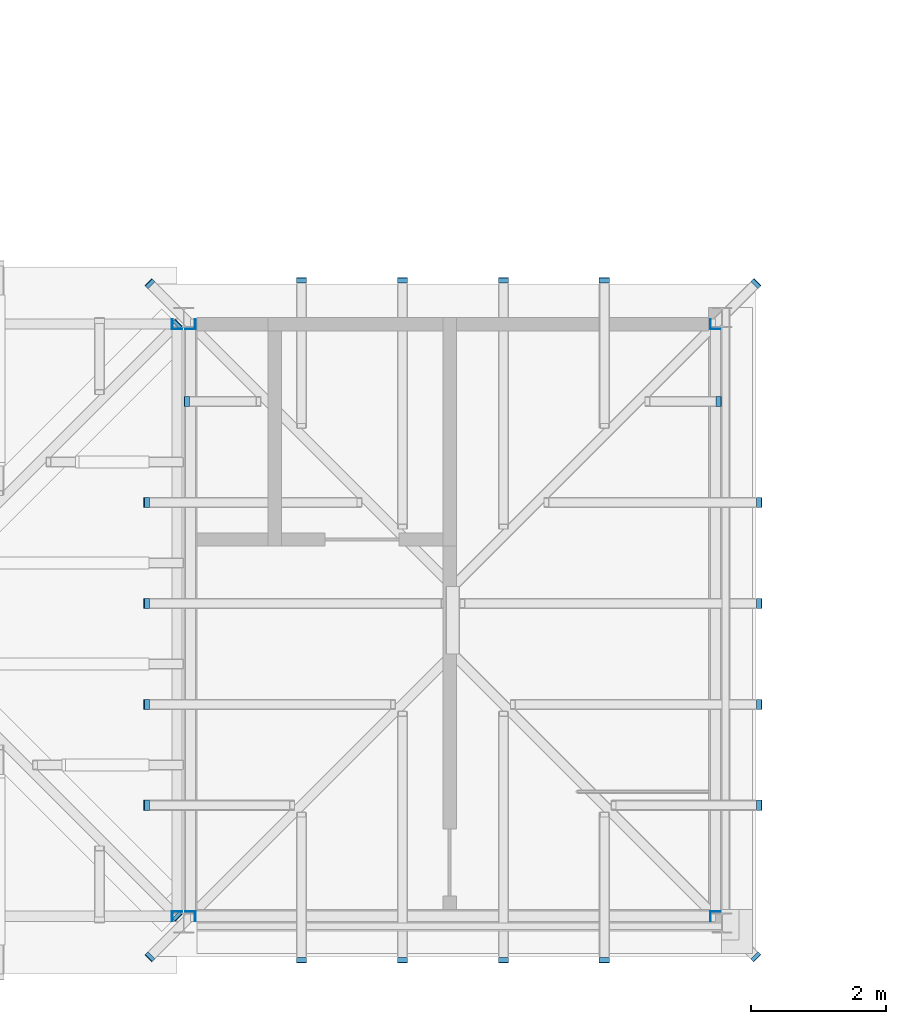
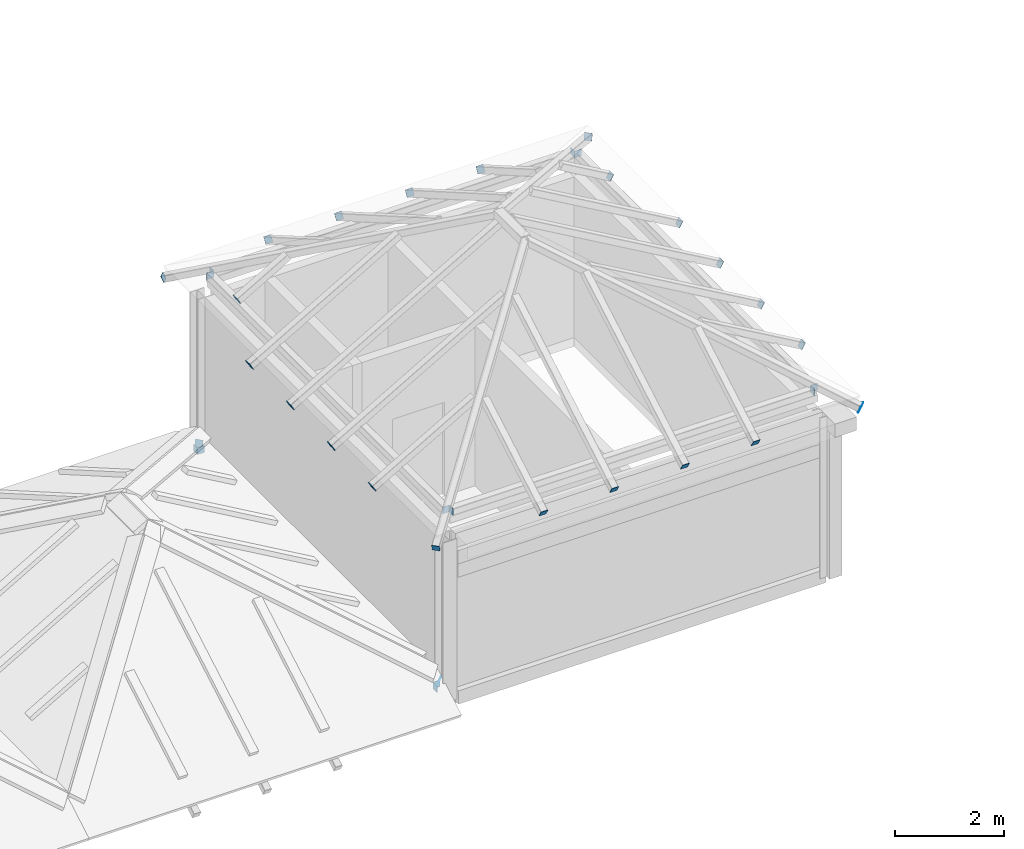
# One storey, part 80 of 111: 36 discrete accessories.
"""IFC4 building model written with IfcOpenShell, lengths in metres."""

import ifcopenshell
import ifcopenshell.guid

model = None  # the IFC model being written
_history = None  # IfcOwnerHistory: only IFC2X3 demands one
_inside = {}  # id of a spatial element -> (the spatial element, [elements in it])
_under = {}  # id of a project, library or spatial element -> (it, [spatial elements below it])
_declared = {}  # id of a project -> (the project, [libraries it declares])
_typed = {}  # id of a type object -> (the type object, [elements of that type])
_made_of = {}  # id of a material, layer set ... -> (it, [elements and type objects made of it])


def new_model(schema):
    """Start an empty IFC model of exactly this schema.

    Asked for "IFC4X3", IfcOpenShell would pick the latest addendum, in which some entities
    have other attributes; the version numbers below select the first issue.
    IFC2X3 requires an IfcOwnerHistory on every rooted entity: one is made here for all.
    """
    global model, _history
    if schema == "IFC4X3":
        model = ifcopenshell.file(schema_version=(4, 3, 0, 0))
    else:
        model = ifcopenshell.file(schema=schema)
    _inside.clear()
    _under.clear()
    _declared.clear()
    _typed.clear()
    _made_of.clear()
    _history = None
    if model.schema == "IFC2X3":
        org = make("IfcOrganization", Name="unknown")
        user = make(
            "IfcPersonAndOrganization",
            ThePerson=make("IfcPerson", FamilyName="unknown"),
            TheOrganization=org,
        )
        app = make(
            "IfcApplication",
            ApplicationDeveloper=org,
            Version="unknown",
            ApplicationFullName="unknown",
            ApplicationIdentifier="unknown",
        )
        _history = make(
            "IfcOwnerHistory",
            OwningUser=user,
            OwningApplication=app,
            ChangeAction="ADDED",
            CreationDate=0,
        )
    return model


def make(cls, **values):
    """One entity of the class cls with the attributes given. An attribute that is None is left unset."""
    return model.create_entity(
        cls, **{name: value for name, value in values.items() if value is not None}
    )


def rooted(cls, **values):
    """An entity with a GlobalId (a new one), such as an element, a storey or a relation."""
    return make(cls, GlobalId=ifcopenshell.guid.new(), OwnerHistory=_history, **values)


def si_unit(unit_type, name, prefix=None):
    """IfcSIUnit, for example si_unit("LENGTHUNIT", "METRE", prefix="MILLI")."""
    return make("IfcSIUnit", UnitType=unit_type, Prefix=prefix, Name=name)


def assignment(units):
    """IfcUnitAssignment: the units of a project."""
    return None if units is None else make("IfcUnitAssignment", Units=units)


def point(xyz):
    """IfcCartesianPoint."""
    return None if xyz is None else make("IfcCartesianPoint", Coordinates=xyz)


def direction(xyz):
    """IfcDirection."""
    return None if xyz is None else make("IfcDirection", DirectionRatios=xyz)


def frame(location, z_axis=None, x_axis=None):
    """IfcAxis2Placement3D, a coordinate frame: its origin and axes. An axis left out is left unset."""
    return make(
        "IfcAxis2Placement3D",
        Location=point(location),
        Axis=direction(z_axis),
        RefDirection=direction(x_axis),
    )


def frame_2d(location, x_axis=None):
    """IfcAxis2Placement2D, a coordinate frame in the plane: its origin and x axis."""
    return make(
        "IfcAxis2Placement2D", Location=point(location), RefDirection=direction(x_axis)
    )


def origin():
    """The frame at (0, 0, 0) with its axes left unset."""
    return frame((0.0, 0.0, 0.0))


def origin_2d():
    """The frame at (0, 0) in the plane with its x axis left unset."""
    return frame_2d((0.0, 0.0))


def place(relative_to, where):
    """IfcLocalPlacement: puts the frame where relative to a parent placement (None: the world)."""
    return make(
        "IfcLocalPlacement", PlacementRelTo=relative_to, RelativePlacement=where
    )


def context(
    kind, dimensions, precision=None, world=None, true_north=None, identifier=None
):
    """IfcGeometricRepresentationContext, for example the 3D "Model" context."""
    return make(
        "IfcGeometricRepresentationContext",
        ContextIdentifier=identifier,
        ContextType=kind,
        CoordinateSpaceDimension=dimensions,
        Precision=precision,
        WorldCoordinateSystem=world,
        TrueNorth=true_north,
    )


def subcontext(parent, identifier, kind, view, scale=None):
    """IfcGeometricRepresentationSubContext, for example "Body" below "Model"."""
    return make(
        "IfcGeometricRepresentationSubContext",
        ContextIdentifier=identifier,
        ContextType=kind,
        ParentContext=parent,
        TargetScale=scale,
        TargetView=view,
    )


def project(units=None, contexts=None):
    """IfcProject with its units and contexts."""
    return rooted(
        "IfcProject",
        Name="project",
        RepresentationContexts=contexts,
        UnitsInContext=assignment(units),
    )


def spatial(cls, under=None, at=None, **own):
    """A site, building, storey or space (cls), placed at a placement, below another one or the project."""
    s = rooted(cls, ObjectPlacement=at, **own)
    if under is not None:
        _under.setdefault(under.id(), (under, []))[1].append(s)
    return s


def profile(cls, at=None, kind="AREA", **sizes):
    """A parametric profile (cls). Its sizes go by their IFC names, for example OverallWidth=200.0."""
    return make(cls, ProfileType=kind, Position=at, **sizes)


def rectangle(**sizes):
    """IfcRectangleProfileDef."""
    return profile("IfcRectangleProfileDef", **sizes)


def extrude(swept, where, along, depth):
    """IfcExtrudedAreaSolid: the profile swept, set in the frame where, extruded along a direction by depth."""
    return make(
        "IfcExtrudedAreaSolid",
        SweptArea=swept,
        Position=where,
        ExtrudedDirection=direction(along),
        Depth=depth,
    )


def shape(context_of_items, identifier, shape_type, items):
    """IfcShapeRepresentation: the items that make up one representation, for example the "Body"."""
    return make(
        "IfcShapeRepresentation",
        ContextOfItems=context_of_items,
        RepresentationIdentifier=identifier,
        RepresentationType=shape_type,
        Items=items,
    )


def material(Name=None, Category=None):
    """IfcMaterial."""
    return make("IfcMaterial", Name=Name, Category=Category)


def material_profile(
    of_material, cross_section, Name=None, Category=None, Priority=None
):
    """IfcMaterialProfile: a cross section and its material."""
    return make(
        "IfcMaterialProfile",
        Name=Name,
        Material=of_material,
        Profile=cross_section,
        Priority=Priority,
        Category=Category,
    )


def profile_set(profiles, Name=None, composite=None):
    """IfcMaterialProfileSet."""
    return make(
        "IfcMaterialProfileSet",
        Name=Name,
        MaterialProfiles=profiles,
        CompositeProfile=composite,
    )


def made_of(thing, what):
    """Note that an element or type object is made of a material, layer set ...; save() writes the relation."""
    if what is not None:
        _made_of.setdefault(what.id(), (what, []))[1].append(thing)
    return thing


def type_object(cls, material=None, **own):
    """A type object (cls), such as IfcWallType, which elements share."""
    return made_of(rooted(cls, **own), material)


def element(
    cls,
    number,
    at=None,
    inside=None,
    cuts=None,
    type_object=None,
    material=None,
    context=None,
    identifier="Body",
    shape_type=None,
    held_by="IfcProductDefinitionShape",
    body=None,
    shapes=None,
    **own,
):
    """One element of the class cls, such as IfcWall. Its Tag is "e" and its number.

    at: its placement. inside: the storey or other place that contains it. cuts: it is an
    opening in that element (IfcRelVoidsElement). A single representation is given by context,
    identifier, shape_type and body (its items); several are given by shapes. held_by: the class
    of the entity that holds the representations. save() writes the other relations.
    """
    e = rooted(cls, Tag="e%d" % number, ObjectPlacement=at, **own)
    if body is not None:
        shapes = [shape(context, identifier, shape_type, body)]
    if shapes is not None:
        e.Representation = make(held_by, Representations=shapes)
    if inside is not None:
        _inside.setdefault(inside.id(), (inside, []))[1].append(e)
    if cuts is not None:
        rooted(
            "IfcRelVoidsElement", RelatingBuildingElement=cuts, RelatedOpeningElement=e
        )
    if type_object is not None:
        _typed.setdefault(type_object.id(), (type_object, []))[1].append(e)
    return made_of(e, material)


def aggregate(whole, parts):
    """IfcRelAggregates: a whole, such as a stair, and the parts it consists of."""
    return rooted("IfcRelAggregates", RelatingObject=whole, RelatedObjects=parts)


def save(model, path):
    """Write the relations noted so far, then the file.

    IfcRelAggregates (storeys below a building ...), IfcRelContainedInSpatialStructure (elements
    in a storey), IfcRelDefinesByType, IfcRelAssociatesMaterial and IfcRelDeclares: one each for
    every whole, place, type object, material and project.
    """
    for whole, parts in _under.values():
        aggregate(whole, parts)
    for where, things in _inside.values():
        rooted(
            "IfcRelContainedInSpatialStructure",
            RelatedElements=things,
            RelatingStructure=where,
        )
    for kind, things in _typed.values():
        rooted("IfcRelDefinesByType", RelatedObjects=things, RelatingType=kind)
    for what, things in _made_of.values():
        rooted("IfcRelAssociatesMaterial", RelatedObjects=things, RelatingMaterial=what)
    for by, libraries in _declared.values():
        rooted("IfcRelDeclares", RelatingContext=by, RelatedDefinitions=libraries)
    model.write(path)


model = new_model("IFC4")

# Units and contexts
model_context = context("Model", 3, precision=1e-05, world=origin(), true_north=direction((0.0, 1.0)))
body_context = subcontext(model_context, "Body", "Model", "MODEL_VIEW")
ifc_project = project(units=[si_unit("LENGTHUNIT", "METRE"), si_unit("AREAUNIT", "SQUARE_METRE"), si_unit("VOLUMEUNIT", "CUBIC_METRE"), si_unit("PLANEANGLEUNIT", "RADIAN"), si_unit("MASSUNIT", "GRAM", prefix="KILO")], contexts=[model_context])

# Site, building, storey
site_placement = place(None, origin())
site = spatial("IfcSite", under=ifc_project, at=site_placement, CompositionType="ELEMENT")
building_placement = place(site_placement, origin())
building = spatial("IfcBuilding", under=site, at=building_placement, Name="Kallimachos Central Library", CompositionType="ELEMENT")
storey_placement = place(building_placement, frame((0.0, 0.0, 14.39990234375)))
storey = spatial("IfcBuildingStorey", under=building, at=storey_placement, Name="L03", CompositionType="ELEMENT", Elevation=14.39990234375)

# Discrete accessories
ifc_material = material(Name="Steel S355J2", Category="steel")
ifc_material_profile = material_profile(ifc_material, rectangle(XDim=0.14990234375, YDim=0.14990234375, at=origin_2d()), Name="End cap plate 10, 150x150")
ifc_profile_set = profile_set([ifc_material_profile], Name="Steel S355J2")
discrete_accessory_type = type_object("IfcDiscreteAccessoryType", Name="End cap plate 10, 150x150", PredefinedType="BRACKET", material=ifc_profile_set)
for number, where, z_axis, x_axis, name in (
    (1, (21.824951171875, 9.10009765625, 0.22509765625), (1.0, 0.0, 0.0), (0.0, 1.0, 0.0), "End cap plate"),
    (2, (21.824951171875, 17.89990234375, 0.22509765625), (1.0, 0.0, 0.0), (0.0, 1.0, 0.0), "End cap plate"),
    (3, (21.89990234375, 9.1650390625, 0.22509765625), (0.0, 1.0, 0.0), (-1.0, 0.0, 0.0), "End cap plate"),
    (4, (21.89990234375, 17.824951171875, 0.22509765625), (0.0, 1.0, 0.0), (-1.0, 0.0, 0.0), "End cap plate"),
    (5, (21.906494140625, 9.093505859375, 0.323486328125), (-0.658145181714, 0.658145181714, 0.365636212064), (-0.707106781187, -0.707106781187, 0.0), "End cap plate"),
    (6, (21.906494140625, 17.906494140625, 0.323486328125), (-0.658145181714, -0.658145181714, 0.365636212064), (0.707106781187, -0.707106781187, 0.0), "End cap plate"),
    (7, (22.1650390625, 9.10009765625, 4.0751953125), (1.0, 0.0, 0.0), (0.0, 1.0, 0.0), "End cap plate"),
    (8, (29.824951171875, 9.10009765625, 4.0751953125), (1.0, 0.0, 0.0), (0.0, 1.0, 0.0), "End cap plate"),
    (9, (22.1650390625, 17.89990234375, 4.0751953125), (1.0, 0.0, 0.0), (0.0, 1.0, 0.0), "End cap plate"),
    (10, (29.824951171875, 17.89990234375, 4.0751953125), (1.0, 0.0, 0.0), (0.0, 1.0, 0.0), "End cap plate"),
    (11, (22.10009765625, 9.1650390625, 4.0751953125), (0.0, 1.0, 0.0), (-1.0, 0.0, 0.0), "End cap plate"),
    (12, (22.10009765625, 17.824951171875, 4.0751953125), (0.0, 1.0, 0.0), (-1.0, 0.0, 0.0), "End cap plate"),
    (13, (29.89990234375, 9.1650390625, 4.0751953125), (0.0, 1.0, 0.0), (-1.0, 0.0, 0.0), "End cap plate"),
    (14, (29.89990234375, 17.824951171875, 4.0751953125), (0.0, 1.0, 0.0), (-1.0, 0.0, 0.0), "End cap plate"),
):
    element("IfcDiscreteAccessory", number, at=place(storey_placement, frame(where, z_axis=z_axis, x_axis=x_axis)), inside=storey, type_object=discrete_accessory_type, Name=name, PredefinedType="BRACKET", context=body_context, shape_type="SweptSolid", body=[
        extrude(rectangle(XDim=0.14990234375, YDim=0.14990234375, at=origin_2d()), origin(), (0.0, 0.0, 1.0), 0.010009765625),
    ])
for number, where, z_axis, x_axis, name in (
    (15, (23.75, 8.44140625, 3.8564453125), (0.0, 0.868243142124, 0.496138938357), (-1.0, 0.0, 0.0), "End cap plate"),
    (16, (25.25, 8.44140625, 3.8564453125), (0.0, 0.868243142124, 0.496138938357), (-1.0, 0.0, 0.0), "End cap plate"),
    (17, (26.75, 8.44140625, 3.8564453125), (0.0, 0.868243142124, 0.496138938357), (-1.0, 0.0, 0.0), "End cap plate"),
    (18, (28.25, 8.44140625, 3.8564453125), (0.0, 0.868243142124, 0.496138938357), (-1.0, 0.0, 0.0), "End cap plate"),
    (19, (23.75, 18.55859375, 3.8564453125), (0.0, -0.868243142124, 0.496138938357), (1.0, 0.0, 0.0), "End cap plate"),
    (20, (25.25, 18.55859375, 3.8564453125), (0.0, -0.868243142124, 0.496138938357), (1.0, 0.0, 0.0), "End cap plate"),
    (21, (26.75, 18.55859375, 3.8564453125), (0.0, -0.868243142124, 0.496138938357), (1.0, 0.0, 0.0), "End cap plate"),
    (22, (28.25, 18.55859375, 3.8564453125), (0.0, -0.868243142124, 0.496138938357), (1.0, 0.0, 0.0), "End cap plate"),
    (23, (21.44140625, 10.75, 3.8564453125), (0.868243142124, 0.0, 0.496138938357), (0.0, 1.0, 0.0), "End cap plate"),
    (24, (21.44140625, 12.25, 3.8564453125), (0.868243142124, 0.0, 0.496138938357), (0.0, 1.0, 0.0), "End cap plate"),
    (25, (21.44140625, 13.75, 3.8564453125), (0.868243142124, 0.0, 0.496138938357), (0.0, 1.0, 0.0), "End cap plate"),
    (26, (21.44140625, 15.25, 3.8564453125), (0.868243142124, 0.0, 0.496138938357), (0.0, 1.0, 0.0), "End cap plate"),
):
    element("IfcDiscreteAccessory", number, at=place(storey_placement, frame(where, z_axis=z_axis, x_axis=x_axis)), inside=storey, type_object=discrete_accessory_type, Name=name, PredefinedType="BRACKET", context=body_context, shape_type="SweptSolid", body=[
        extrude(rectangle(XDim=0.14990234375, YDim=0.14990234375, at=origin_2d()), origin(), (0.0, 0.0, 1.0), 0.009765625),
    ])
discrete_accessory_placement = place(storey_placement, frame((22.041259765625, 16.75, 4.202880859375), z_axis=(0.874157276122, 0.0, 0.485642931179), x_axis=(0.0, 1.0, 0.0)))
element("IfcDiscreteAccessory", 27, at=discrete_accessory_placement, inside=storey, type_object=discrete_accessory_type, Name="End cap plate", PredefinedType="BRACKET", context=body_context, shape_type="SweptSolid", body=[
    extrude(rectangle(XDim=0.14990234375, YDim=0.14990234375, at=origin_2d()), origin(), (0.0, 0.0, 1.0), 0.010009765625),
])
for number, where, z_axis, x_axis, name in (
    (28, (30.55859375, 10.75, 3.8564453125), (-0.868243142124, 0.0, 0.496138938357), (0.0, -1.0, 0.0), "End cap plate"),
    (29, (30.55859375, 12.25, 3.8564453125), (-0.868243142124, 0.0, 0.496138938357), (0.0, -1.0, 0.0), "End cap plate"),
    (30, (30.55859375, 13.75, 3.8564453125), (-0.868243142124, 0.0, 0.496138938357), (0.0, -1.0, 0.0), "End cap plate"),
    (31, (30.55859375, 15.25, 3.8564453125), (-0.868243142124, 0.0, 0.496138938357), (0.0, -1.0, 0.0), "End cap plate"),
):
    element("IfcDiscreteAccessory", number, at=place(storey_placement, frame(where, z_axis=z_axis, x_axis=x_axis)), inside=storey, type_object=discrete_accessory_type, Name=name, PredefinedType="BRACKET", context=body_context, shape_type="SweptSolid", body=[
        extrude(rectangle(XDim=0.14990234375, YDim=0.14990234375, at=origin_2d()), origin(), (0.0, 0.0, 1.0), 0.009765625),
    ])
for number, where, z_axis, x_axis, name in (
    (32, (29.958740234375, 16.75, 4.202880859375), (-0.874157276122, 0.0, 0.485642931179), (0.0, -1.0, 0.0), "End cap plate"),
    (33, (21.493408203125, 8.493408203125, 3.826904296875), (0.652166303035, 0.652166303035, 0.386468920317), (-0.707106781187, 0.707106781187, 0.0), "End cap plate"),
    (34, (30.506591796875, 8.493408203125, 3.826904296875), (-0.652166303035, 0.652166303035, 0.386468920317), (-0.707106781187, -0.707106781187, 0.0), "End cap plate"),
    (35, (21.493408203125, 18.506591796875, 3.826904296875), (0.652166303035, -0.652166303035, 0.386468920317), (0.707106781187, 0.707106781187, 0.0), "End cap plate"),
    (36, (30.506591796875, 18.506591796875, 3.826904296875), (-0.652166303035, -0.652166303035, 0.386468920317), (0.707106781187, -0.707106781187, 0.0), "End cap plate"),
):
    element("IfcDiscreteAccessory", number, at=place(storey_placement, frame(where, z_axis=z_axis, x_axis=x_axis)), inside=storey, type_object=discrete_accessory_type, Name=name, PredefinedType="BRACKET", context=body_context, shape_type="SweptSolid", body=[
        extrude(rectangle(XDim=0.14990234375, YDim=0.14990234375, at=origin_2d()), origin(), (0.0, 0.0, 1.0), 0.010009765625),
    ])

save(model, "model.ifc")
